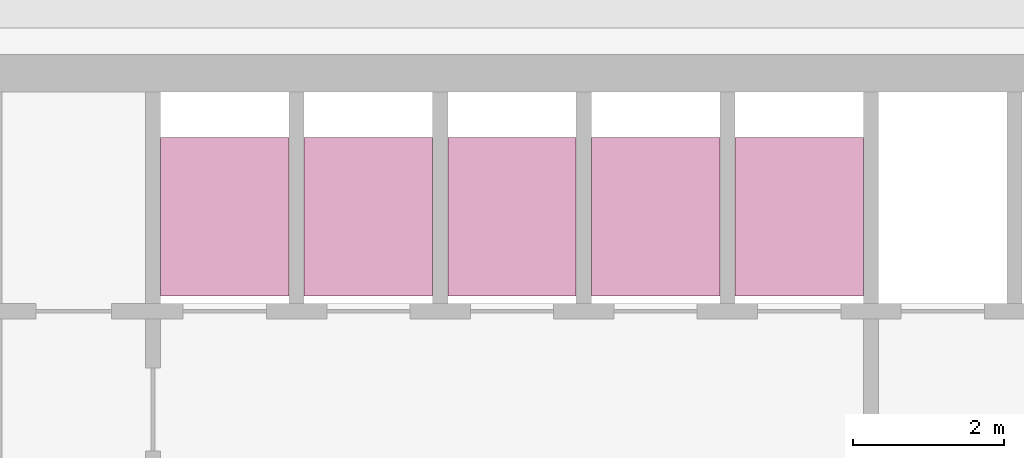
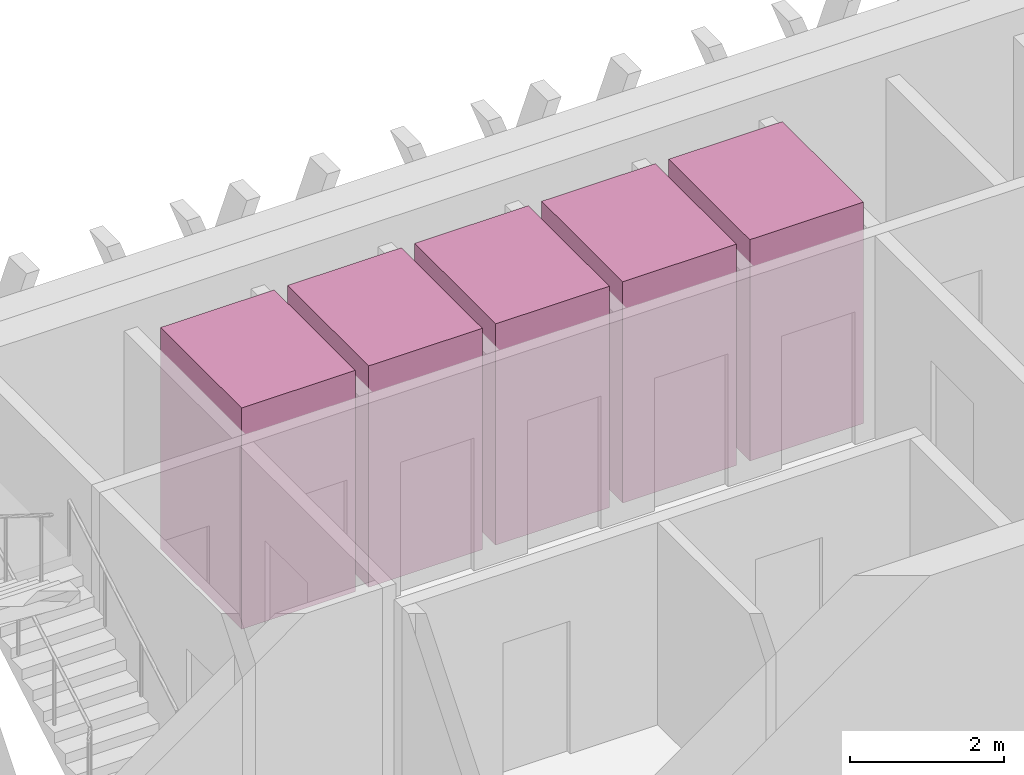
# One storey, part 14 of 14: 5 transport elements.
"""IFC4 building model written with IfcOpenShell, lengths in metres."""

from ifc_helpers import new_model, si_unit, direction, frame, origin, origin_2d, place, context, subcontext, project, spatial, rectangle, extrude, material, type_object, element, save


model = new_model("IFC4")

# Units and contexts
model_context = context("Model", 3, precision=1e-05, world=origin(), true_north=direction((0.0, 1.0)))
body_context = subcontext(model_context, "Body", "Model", "MODEL_VIEW")
ifc_project = project(units=[si_unit("LENGTHUNIT", "METRE"), si_unit("AREAUNIT", "SQUARE_METRE"), si_unit("VOLUMEUNIT", "CUBIC_METRE"), si_unit("PLANEANGLEUNIT", "RADIAN"), si_unit("MASSUNIT", "GRAM", prefix="KILO")], contexts=[model_context])

# Site, building, storey
site_placement = place(None, origin())
site = spatial("IfcSite", under=ifc_project, at=site_placement, CompositionType="ELEMENT")
building_placement = place(site_placement, origin())
building = spatial("IfcBuilding", under=site, at=building_placement, Name="Altiplano Prism Tower", CompositionType="ELEMENT")
storey_placement = place(building_placement, frame((0.0, 0.0, 295.0)))
storey = spatial("IfcBuildingStorey", under=building, at=storey_placement, Name="L76", CompositionType="ELEMENT", Elevation=295.0)

# Transport elements
ifc_material = material(Name="Stainless steel lift car", Category="steel")
transport_element_type = type_object("IfcTransportElementType", Name="Passenger lift car 1600 x 2100", PredefinedType="ELEVATOR", material=ifc_material)
for number, where, z_axis, x_axis, name in (
    (1, (79.050048828125, 101.75, 0.050048828125), (0.0, 0.0, 1.0), (1.0, 0.0, 0.0), "High Zone Passenger Lift 1"),
    (2, (80.949951171875, 101.75, 0.050048828125), (0.0, 0.0, 1.0), (1.0, 0.0, 0.0), "High Zone Passenger Lift 2"),
    (3, (82.85009765625, 101.75, 0.050048828125), (0.0, 0.0, 1.0), (1.0, 0.0, 0.0), "High Zone Passenger Lift 3"),
    (4, (84.75, 101.75, 0.050048828125), (0.0, 0.0, 1.0), (1.0, 0.0, 0.0), "High Zone Passenger Lift 4"),
    (5, (86.64990234375, 101.75, 0.050048828125), (0.0, 0.0, 1.0), (1.0, 0.0, 0.0), "High Zone Passenger Lift 5"),
):
    element("IfcTransportElement", number, at=place(storey_placement, frame(where, z_axis=z_axis, x_axis=x_axis)), inside=storey, type_object=transport_element_type, Name=name, PredefinedType="ELEVATOR", context=body_context, shape_type="SweptSolid", body=[
        extrude(rectangle(XDim=1.699951171875, YDim=2.10009765625, at=origin_2d()), origin(), (0.0, 0.0, 1.0), 3.5),
    ])

save(model, "model.ifc")
